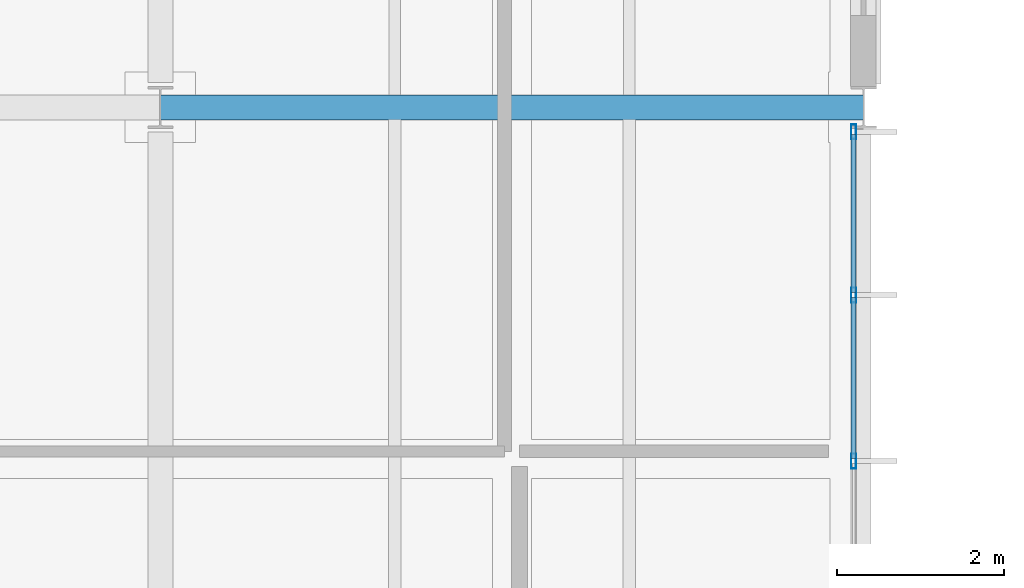
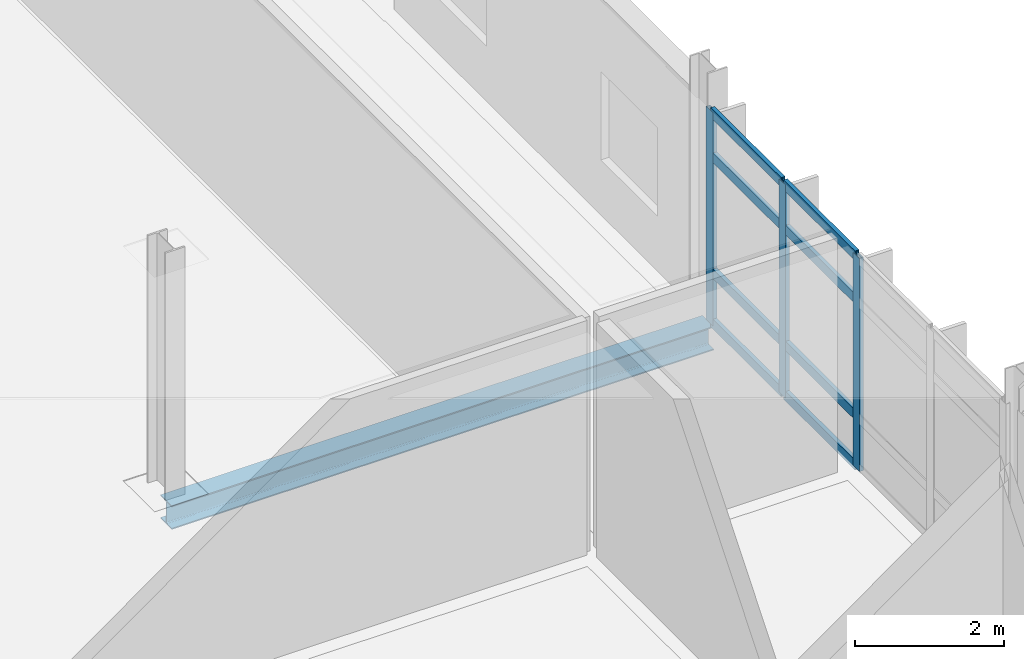
# One storey, part 79 of 151: 11 members, 1 beam, 1 element without a shape of its own.
"""IFC4 building model written with IfcOpenShell, lengths in metres."""

from ifc_helpers import new_model, si_unit, direction, frame, origin, origin_2d, place, context, subcontext, project, spatial, hollow_rectangle, i_section, extrude, material, material_profile, profile_set, type_object, element, aggregate, save


model = new_model("IFC4")

# Units and contexts
model_context = context("Model", 3, precision=1e-05, world=origin(), true_north=direction((0.0, 1.0)))
body_context = subcontext(model_context, "Body", "Model", "MODEL_VIEW")
ifc_project = project(units=[si_unit("LENGTHUNIT", "METRE"), si_unit("AREAUNIT", "SQUARE_METRE"), si_unit("VOLUMEUNIT", "CUBIC_METRE"), si_unit("PLANEANGLEUNIT", "RADIAN"), si_unit("MASSUNIT", "GRAM", prefix="KILO")], contexts=[model_context])

# Site, building, storey
site_placement = place(None, origin())
site = spatial("IfcSite", under=ifc_project, at=site_placement, CompositionType="ELEMENT")
building_placement = place(site_placement, origin())
building = spatial("IfcBuilding", under=site, at=building_placement, Name="Mersafa Astral City Hall", CompositionType="ELEMENT")
storey_placement = place(building_placement, frame((0.0, 0.0, 9.89990234375)))
storey = spatial("IfcBuildingStorey", under=building, at=storey_placement, Name="L02", CompositionType="ELEMENT", Elevation=9.89990234375)

# Curtain wall, members
ifc_material_1 = material(Name="Anodised bronze aluminium framing", Category="aluminium")
curtain_wall_type = type_object("IfcCurtainWallType", Name="ENV-CW-3", PredefinedType="USERDEFINED", material=ifc_material_1)
curtain_wall_placement = place(storey_placement, origin())
curtain_wall = element("IfcCurtainWall", 1, at=curtain_wall_placement, inside=storey, type_object=curtain_wall_type, Name="L02 Unitised solar curtain wall 116", ObjectType="UNITISED CURTAIN WALL", PredefinedType="USERDEFINED")
ifc_material_profile_1 = material_profile(ifc_material_1, hollow_rectangle(XDim=0.06005859375, YDim=0.179931640625, WallThickness=0.00390625, at=origin_2d()), Name="RHS 60x180x4")
ifc_profile_set_1 = profile_set([ifc_material_profile_1], Name="Anodised bronze aluminium framing")
member_type_1 = type_object("IfcMemberType", Name="ENV-CW-MUL-1", PredefinedType="MULLION", material=ifc_profile_set_1)
member_1_placement = place(storey_placement, frame((117.47998046875, 104.97509765625, -0.001953125), z_axis=(0.0, 0.0, 1.0), x_axis=(-1.0, 0.0, 0.0)))
member_1 = element("IfcMember", 2, at=member_1_placement, type_object=member_type_1, Name="CW-3 mullion 3", PredefinedType="MULLION", context=body_context, shape_type="SweptSolid", body=[
    extrude(hollow_rectangle(XDim=0.06005859375, YDim=0.179931640625, WallThickness=0.00390625, at=origin_2d()), origin(), (0.0, 0.0, 1.0), 3.489013671875),
])
member_2_placement = place(storey_placement, frame((117.47998046875, 106.95654296875, -0.001953125), z_axis=(0.0, 0.0, 1.0), x_axis=(-1.0, 0.0, 0.0)))
member_2 = element("IfcMember", 3, at=member_2_placement, type_object=member_type_1, Name="CW-3 mullion 4", PredefinedType="MULLION", context=body_context, shape_type="SweptSolid", body=[
    extrude(hollow_rectangle(XDim=0.06005859375, YDim=0.179931640625, WallThickness=0.00390625, at=origin_2d()), origin(), (0.0, 0.0, 1.0), 3.489013671875),
])
member_3_placement = place(storey_placement, frame((117.47998046875, 108.907958984375, -0.001953125), z_axis=(0.0, 0.0, 1.0), x_axis=(-1.0, 0.0, 0.0)))
member_3 = element("IfcMember", 4, at=member_3_placement, type_object=member_type_1, Name="CW-3 mullion 5", PredefinedType="MULLION", context=body_context, shape_type="SweptSolid", body=[
    extrude(hollow_rectangle(XDim=0.06005859375, YDim=0.179931640625, WallThickness=0.00390625, at=origin_2d()), origin(), (0.0, 0.0, 1.0), 3.489013671875),
])
ifc_material_profile_2 = material_profile(ifc_material_1, hollow_rectangle(XDim=0.06005859375, YDim=0.159912109375, WallThickness=0.00390625, at=origin_2d()), Name="RHS 60x160x4")
ifc_profile_set_2 = profile_set([ifc_material_profile_2], Name="Anodised bronze aluminium framing")
member_type_2 = type_object("IfcMemberType", Name="ENV-CW-TRN-2", PredefinedType="USERDEFINED", material=ifc_profile_set_2)
member_4_placement = place(storey_placement, frame((117.47998046875, 105.0048828125, 0.028076171875), z_axis=(0.0, 1.0, 0.0), x_axis=(-1.0, 0.0, 0.0)))
member_4 = element("IfcMember", 5, at=member_4_placement, type_object=member_type_2, Name="CW-3 transom 3.1", ObjectType="TRANSOM", PredefinedType="USERDEFINED", context=body_context, shape_type="SweptSolid", body=[
    extrude(hollow_rectangle(XDim=0.06005859375, YDim=0.159912109375, WallThickness=0.00390625, at=origin_2d()), origin(), (0.0, 0.0, 1.0), 1.921630859375),
])
member_5_placement = place(storey_placement, frame((117.47998046875, 105.0048828125, 0.85009765625), z_axis=(0.0, 1.0, 0.0), x_axis=(-1.0, 0.0, 0.0)))
member_5 = element("IfcMember", 6, at=member_5_placement, type_object=member_type_2, Name="CW-3 transom 3.2", ObjectType="TRANSOM", PredefinedType="USERDEFINED", context=body_context, shape_type="SweptSolid", body=[
    extrude(hollow_rectangle(XDim=0.06005859375, YDim=0.159912109375, WallThickness=0.00390625, at=origin_2d()), origin(), (0.0, 0.0, 1.0), 1.921630859375),
])
member_6_placement = place(storey_placement, frame((117.47998046875, 105.0048828125, 2.75), z_axis=(0.0, 1.0, 0.0), x_axis=(-1.0, 0.0, 0.0)))
member_6 = element("IfcMember", 7, at=member_6_placement, type_object=member_type_2, Name="CW-3 transom 3.3", ObjectType="TRANSOM", PredefinedType="USERDEFINED", context=body_context, shape_type="SweptSolid", body=[
    extrude(hollow_rectangle(XDim=0.06005859375, YDim=0.159912109375, WallThickness=0.00390625, at=origin_2d()), origin(), (0.0, 0.0, 1.0), 1.921630859375),
])
member_7_placement = place(storey_placement, frame((117.47998046875, 105.0048828125, 3.45703125), z_axis=(0.0, 1.0, 0.0), x_axis=(-1.0, 0.0, 0.0)))
member_7 = element("IfcMember", 8, at=member_7_placement, type_object=member_type_2, Name="CW-3 transom 3.4", ObjectType="TRANSOM", PredefinedType="USERDEFINED", context=body_context, shape_type="SweptSolid", body=[
    extrude(hollow_rectangle(XDim=0.06005859375, YDim=0.159912109375, WallThickness=0.00390625, at=origin_2d()), origin(), (0.0, 0.0, 1.0), 1.921630859375),
])
member_8_placement = place(storey_placement, frame((117.47998046875, 106.986572265625, 0.028076171875), z_axis=(0.0, 1.0, 0.0), x_axis=(-1.0, 0.0, 0.0)))
member_8 = element("IfcMember", 9, at=member_8_placement, type_object=member_type_2, Name="CW-3 transom 4.1", ObjectType="TRANSOM", PredefinedType="USERDEFINED", context=body_context, shape_type="SweptSolid", body=[
    extrude(hollow_rectangle(XDim=0.06005859375, YDim=0.159912109375, WallThickness=0.00390625, at=origin_2d()), origin(), (0.0, 0.0, 1.0), 1.891357421875),
])
member_9_placement = place(storey_placement, frame((117.47998046875, 106.986572265625, 0.85009765625), z_axis=(0.0, 1.0, 0.0), x_axis=(-1.0, 0.0, 0.0)))
member_9 = element("IfcMember", 10, at=member_9_placement, type_object=member_type_2, Name="CW-3 transom 4.2", ObjectType="TRANSOM", PredefinedType="USERDEFINED", context=body_context, shape_type="SweptSolid", body=[
    extrude(hollow_rectangle(XDim=0.06005859375, YDim=0.159912109375, WallThickness=0.00390625, at=origin_2d()), origin(), (0.0, 0.0, 1.0), 1.891357421875),
])
member_10_placement = place(storey_placement, frame((117.47998046875, 106.986572265625, 2.75), z_axis=(0.0, 1.0, 0.0), x_axis=(-1.0, 0.0, 0.0)))
member_10 = element("IfcMember", 11, at=member_10_placement, type_object=member_type_2, Name="CW-3 transom 4.3", ObjectType="TRANSOM", PredefinedType="USERDEFINED", context=body_context, shape_type="SweptSolid", body=[
    extrude(hollow_rectangle(XDim=0.06005859375, YDim=0.159912109375, WallThickness=0.00390625, at=origin_2d()), origin(), (0.0, 0.0, 1.0), 1.891357421875),
])
member_11_placement = place(storey_placement, frame((117.47998046875, 106.986572265625, 3.45703125), z_axis=(0.0, 1.0, 0.0), x_axis=(-1.0, 0.0, 0.0)))
member_11 = element("IfcMember", 12, at=member_11_placement, type_object=member_type_2, Name="CW-3 transom 4.4", ObjectType="TRANSOM", PredefinedType="USERDEFINED", context=body_context, shape_type="SweptSolid", body=[
    extrude(hollow_rectangle(XDim=0.06005859375, YDim=0.159912109375, WallThickness=0.00390625, at=origin_2d()), origin(), (0.0, 0.0, 1.0), 1.891357421875),
])
aggregate(curtain_wall, [member_1, member_2, member_3, member_4, member_5, member_6, member_7, member_8, member_9, member_10, member_11])

# Beam
ifc_material_2 = material(Name="Steel S355", Category="steel")
ifc_material_profile_3 = material_profile(ifc_material_2, i_section(OverallWidth=0.300048828125, OverallDepth=0.389892578125, WebThickness=0.010986328125, FlangeThickness=0.01904296875, FilletRadius=0.027099609375, at=origin_2d()), Name="HEA 400")
ifc_profile_set_3 = profile_set([ifc_material_profile_3], Name="Steel S355")
beam_type = type_object("IfcBeamType", Name="STR-BM-HEA400", PredefinedType="BEAM", material=ifc_profile_set_3)
beam_placement = place(storey_placement, frame((109.202880859375, 109.199951171875, -0.39501953125), z_axis=(1.0, 0.0, 0.0), x_axis=(0.0, 1.0, 0.0)))
element("IfcBeam", 13, at=beam_placement, inside=storey, type_object=beam_type, Name="L02 Primary girder X 13-13", PredefinedType="BEAM", context=body_context, shape_type="SweptSolid", body=[
    extrude(i_section(OverallWidth=0.300048828125, OverallDepth=0.389892578125, WebThickness=0.010986328125, FlangeThickness=0.01904296875, FilletRadius=0.027099609375, at=origin_2d()), origin(), (0.0, 0.0, 1.0), 8.39404296875),
])

save(model, "model.ifc")
